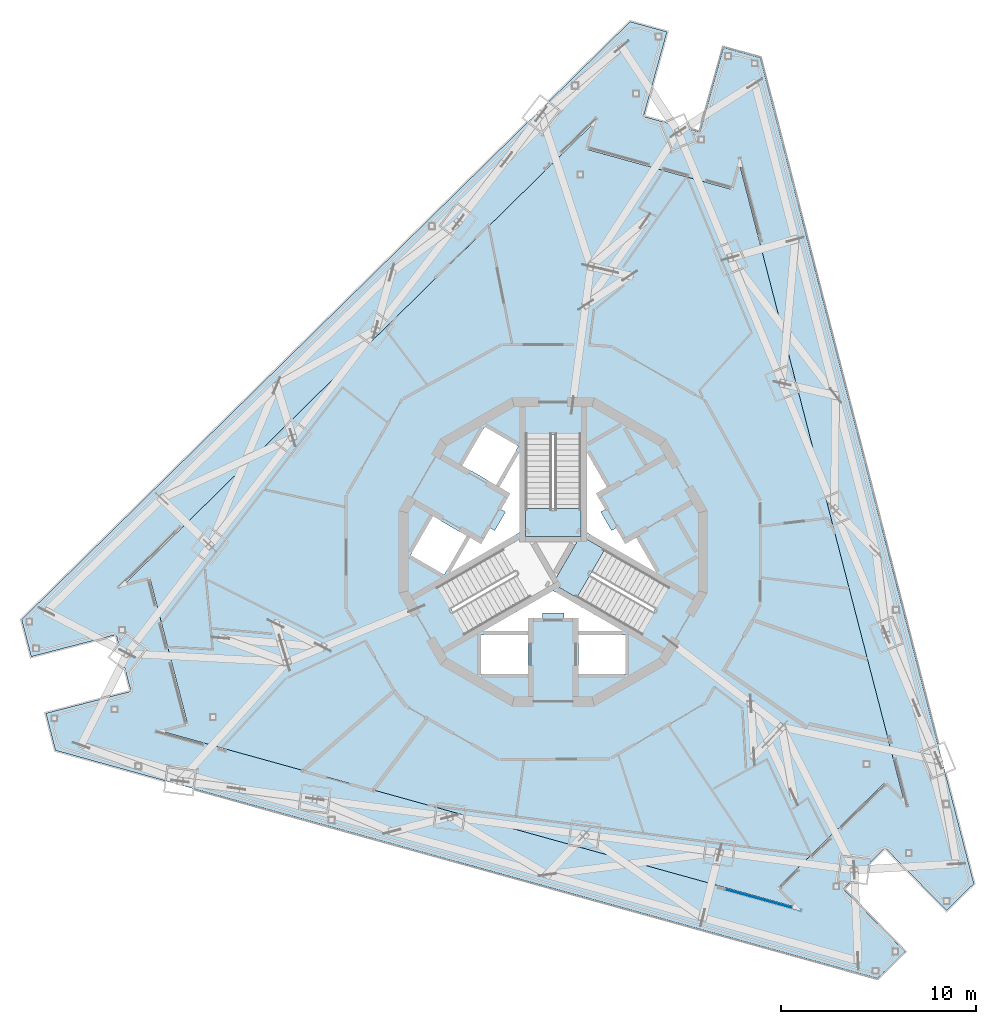
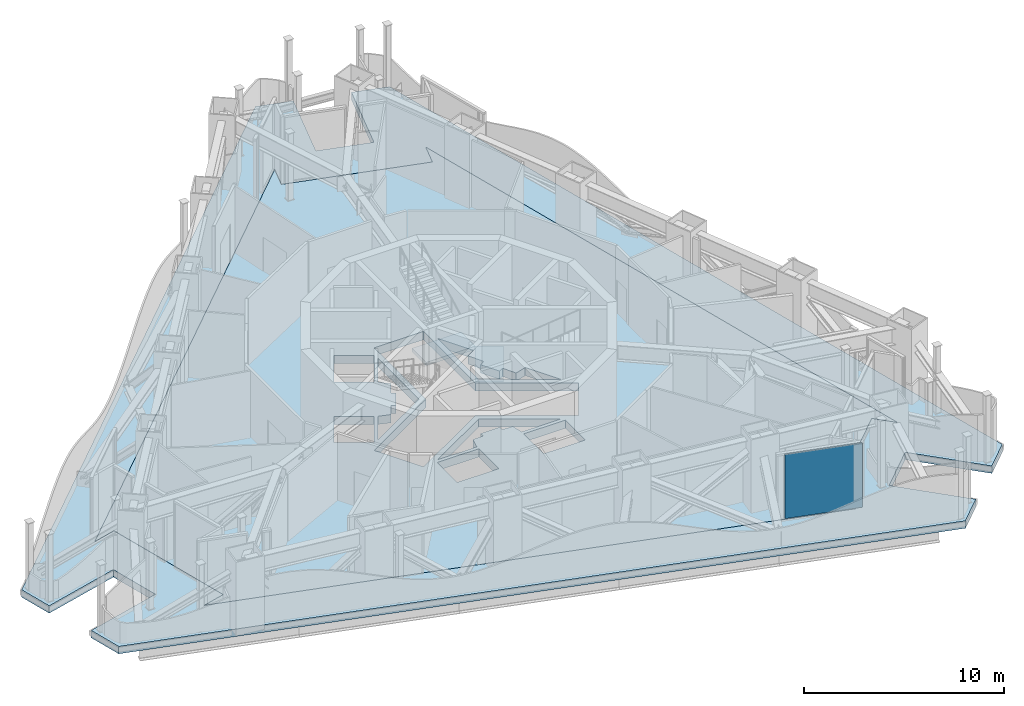
# One storey, part 7 of 22: 4 slabs, 1 plate, 3 elements without a shape of their own.
"""IFC4 building model written with IfcOpenShell, lengths in metres."""

from ifc_helpers import new_model, si_unit, direction, frame, origin, origin_2d, place, context, subcontext, project, spatial, polyline, rectangle, outline, extrude, material, layer, layer_set, type_object, element, aggregate, save


model = new_model("IFC4")

# Units and contexts
model_context = context("Model", 3, precision=1e-05, world=origin(), true_north=direction((0.0, 1.0)))
body_context = subcontext(model_context, "Body", "Model", "MODEL_VIEW")
ifc_project = project(units=[si_unit("LENGTHUNIT", "METRE"), si_unit("AREAUNIT", "SQUARE_METRE"), si_unit("VOLUMEUNIT", "CUBIC_METRE"), si_unit("PLANEANGLEUNIT", "RADIAN"), si_unit("MASSUNIT", "GRAM", prefix="KILO")], contexts=[model_context])

# Site, building, storey
site_placement = place(None, origin())
site = spatial("IfcSite", under=ifc_project, at=site_placement, CompositionType="ELEMENT")
building_placement = place(site_placement, origin())
building = spatial("IfcBuilding", under=site, at=building_placement, Name="Trine Commons Tower", CompositionType="ELEMENT")
storey_placement = place(building_placement, frame((0.0, 0.0, 267.300048828125)))
storey = spatial("IfcBuildingStorey", under=building, at=storey_placement, Name="L70", CompositionType="ELEMENT", Elevation=267.300048828125)

# Curtain wall, plate
ifc_material_1 = material(Name="Sky lounge glazing: anodised aluminium frame with low-emissivity double glazed unit, solar control", Category="aluminium")
ifc_layer_1 = layer(ifc_material_1, 0.179931640625)
ifc_layer_set_1 = layer_set([ifc_layer_1], Name="Sky lounge glazing: anodised aluminium frame with low-emissivity double glazed unit, solar control")
curtain_wall_type = type_object("IfcCurtainWallType", Name="Sky lounge glazing curtain wall CW5", PredefinedType="NOTDEFINED", material=ifc_layer_set_1)
curtain_wall_placement = place(storey_placement, origin())
curtain_wall = element("IfcCurtainWall", 1, at=curtain_wall_placement, inside=storey, type_object=curtain_wall_type, Name="Sky lounge glazing L70 F3.1", PredefinedType="NOTDEFINED")
ifc_material_2 = material(Name="Low-emissivity double glazed unit, solar control")
ifc_layer_2 = layer(ifc_material_2, 0.031982421875)
ifc_layer_set_2 = layer_set([ifc_layer_2], Name="Low-emissivity double glazed unit, solar control")
plate_type = type_object("IfcPlateType", Name="Double glazed unit 32 mm (sky floors)", PredefinedType="CURTAIN_PANEL", material=ifc_layer_set_2)
plate_placement = place(storey_placement, frame((90.7626953125, 44.6572265625, 0.10986328125), z_axis=(0.0, 0.0, 1.0), x_axis=(-0.963630453209, 0.267238376078, 0.0)))
plate = element("IfcPlate", 2, at=plate_placement, type_object=plate_type, Name="CW5 panel 1.1", PredefinedType="CURTAIN_PANEL", context=body_context, shape_type="SweptSolid", body=[
    extrude(rectangle(XDim=4.003662109375, YDim=0.031982421875, at=origin_2d()), origin(), (0.0, 0.0, 1.0), 3.929931640625),
])
aggregate(curtain_wall, [plate])

# Slab
ifc_material_3 = material(Name="Concrete C40/50", Category="concrete")
ifc_layer_3 = layer(ifc_material_3, 0.449951171875)
ifc_layer_set_3 = layer_set([ifc_layer_3], Name="Concrete C40/50")
slab_type_1 = type_object("IfcSlabType", Name="Loggia slab 450 mm, C40/50", PredefinedType="FLOOR", material=ifc_layer_set_3)
slab_1_placement = place(storey_placement, frame((0.0, 0.0, -0.449951171875)))
element("IfcSlab", 3, at=slab_1_placement, inside=storey, type_object=slab_type_1, Name="Loggia slab L70", PredefinedType="FLOOR", context=body_context, shape_type="SweptSolid", body=[
    extrude(outline(polyline([(101.57421875, 45.488037109375), (90.621826171875, 87.83837890625), (88.72900390625, 88.36328125), (87.526611328125, 84.02685546875), (84.6357421875, 84.82861328125), (85.838134765625, 89.1650390625), (83.945556640625, 89.68994140625), (52.745361328125, 59.029541015625), (53.2373046875, 57.1279296875), (57.593994140625, 58.254638671875), (58.344970703125, 55.350341796875), (53.98828125, 54.2236328125), (54.47998046875, 52.322021484375), (96.6328125, 40.632080078125), (98.03369140625, 42.0087890625), (94.879638671875, 45.218505859375), (97.019287109375, 47.321044921875), (100.17333984375, 44.111572265625), (101.57421875, 45.488037109375)]), holes=[polyline([(59.31640625, 61.17919921875), (61.26953125, 53.627685546875), (59.96728515625, 53.291015625), (92.42822265625, 44.28857421875), (91.485595703125, 45.248046875), (97.048828125, 50.715087890625), (97.99169921875, 49.755615234375), (89.557373046875, 82.368896484375), (89.197998046875, 81.07275390625), (81.681640625, 83.1572265625), (82.041015625, 84.453369140625), (58.014404296875, 60.84228515625), (59.31640625, 61.17919921875)])]), origin(), (0.0, 0.0, 1.0), 0.449951171875),
])

# Stair, slab
ifc_material_4 = material(Name="Concrete C50/60", Category="concrete")
stair_type = type_object("IfcStairType", Name="Exit stair, dog-leg, 30 risers of 150 mm", PredefinedType="HALF_TURN_STAIR", material=ifc_material_4)
stair_1_placement = place(storey_placement, origin())
stair_1 = element("IfcStair", 4, at=stair_1_placement, inside=storey, type_object=stair_type, Name="L70 Exit stair ST1D", PredefinedType="HALF_TURN_STAIR")
ifc_layer_4 = layer(ifc_material_4, 0.199951171875)
ifc_layer_set_4 = layer_set([ifc_layer_4], Name="Concrete C50/60")
slab_type_2 = type_object("IfcSlabType", Name="Stair landing slab 200 mm, C50/60", PredefinedType="LANDING", material=ifc_layer_set_4)
slab_2_placement = place(storey_placement, frame((0.0, 0.0, 2.050048828125)))
slab_2 = element("IfcSlab", 5, at=slab_2_placement, type_object=slab_type_2, Name="ST1D landing 1", PredefinedType="LANDING", context=body_context, shape_type="SweptSolid", body=[
    extrude(outline(polyline([(78.574951171875, 64.730712890625), (78.574951171875, 63.300537109375), (81.425048828125, 63.300537109375), (81.425048828125, 64.730712890625), (78.574951171875, 64.730712890625)])), origin(), (0.0, 0.0, 1.0), 0.199951171875),
])
aggregate(stair_1, [slab_2])

stair_2_placement = place(storey_placement, origin())
stair_2 = element("IfcStair", 6, at=stair_2_placement, inside=storey, type_object=stair_type, Name="L70 Exit stair ST3D", PredefinedType="HALF_TURN_STAIR")
slab_3_placement = place(storey_placement, frame((0.0, 0.0, 2.050048828125)))
slab_3 = element("IfcSlab", 7, at=slab_3_placement, type_object=slab_type_2, Name="ST3D landing 1", PredefinedType="LANDING", context=body_context, shape_type="SweptSolid", body=[
    extrude(outline(polyline([(82.644287109375, 62.618896484375), (81.40576171875, 63.333740234375), (79.980712890625, 60.86572265625), (81.21923828125, 60.150634765625), (82.644287109375, 62.618896484375)])), origin(), (0.0, 0.0, 1.0), 0.199951171875),
])
aggregate(stair_2, [slab_3])

# Slab
ifc_layer_5 = layer(ifc_material_3, 0.5)
ifc_layer_set_5 = layer_set([ifc_layer_5], Name="Concrete C40/50")
slab_type_3 = type_object("IfcSlabType", Name="Transfer floor slab 500 mm, C40/50", PredefinedType="FLOOR", material=ifc_layer_set_5)
slab_4_placement = place(storey_placement, frame((0.0, 0.0, -0.5)))
element("IfcSlab", 8, at=slab_4_placement, inside=storey, type_object=slab_type_3, Name="Floor slab L70", PredefinedType="FLOOR", context=body_context, shape_type="SweptSolid", body=[
    extrude(outline(polyline([(58.014404296875, 60.84228515625), (59.31640625, 61.17919921875), (61.26953125, 53.627685546875), (59.96728515625, 53.291015625), (92.42822265625, 44.28857421875), (91.485595703125, 45.248046875), (97.048828125, 50.715087890625), (97.99169921875, 49.755615234375), (89.557373046875, 82.368896484375), (89.197998046875, 81.07275390625), (81.681640625, 83.1572265625), (82.041015625, 84.453369140625), (58.014404296875, 60.84228515625)]), holes=[polyline([(78.699951171875, 56.25), (78.699951171875, 58.25), (76.300048828125, 58.25), (76.300048828125, 56.25), (78.699951171875, 56.25)]), polyline([(83.699951171875, 56.25), (83.699951171875, 58.25), (81.300048828125, 58.25), (81.300048828125, 56.25), (83.699951171875, 56.25)]), polyline([(81.300048828125, 58.449951171875), (83.56494140625, 58.449951171875), (80.0, 60.508056640625), (76.43505859375, 58.449951171875), (78.699951171875, 58.449951171875), (78.85009765625, 59.10009765625), (79.449951171875, 59.10009765625), (79.449951171875, 59.360107421875), (80.550048828125, 59.360107421875), (80.550048828125, 59.10009765625), (81.14990234375, 59.10009765625), (81.300048828125, 58.449951171875)]), polyline([(81.425048828125, 63.32275390625), (81.425048828125, 68.490478515625), (78.574951171875, 68.490478515625), (78.574951171875, 63.32275390625), (74.099609375, 60.73876953125), (75.5244140625, 58.2705078125), (80.0, 60.8544921875), (84.4755859375, 58.2705078125), (85.900390625, 60.73876953125), (81.425048828125, 63.32275390625)]), polyline([(72.687255859375, 62.333984375), (74.41943359375, 61.333984375), (75.5693359375, 63.325927734375), (73.83740234375, 64.325927734375), (72.687255859375, 62.333984375)]), polyline([(76.381103515625, 63.031005859375), (75.742919921875, 63.22607421875), (74.7099609375, 61.43798828125), (78.27490234375, 63.49609375), (78.27490234375, 67.612060546875), (77.242919921875, 65.823974609375), (77.73095703125, 65.368896484375), (77.3310546875, 64.676025390625), (77.555908203125, 64.5458984375), (77.006103515625, 63.593994140625), (76.781005859375, 63.722900390625), (76.381103515625, 63.031005859375)]), polyline([(82.993896484375, 63.593994140625), (82.444091796875, 64.5458984375), (82.72705078125, 64.7099609375), (82.281005859375, 65.549072265625), (82.757080078125, 65.823974609375), (81.72509765625, 67.612060546875), (81.72509765625, 63.49609375), (85.2900390625, 61.43798828125), (84.257080078125, 63.22607421875), (83.618896484375, 63.031005859375), (83.243896484375, 63.738037109375), (82.993896484375, 63.593994140625)]), polyline([(76.4873046875, 68.916015625), (75.33740234375, 66.924072265625), (77.0693359375, 65.924072265625), (78.219482421875, 67.916015625), (76.4873046875, 68.916015625)])]), origin(), (0.0, 0.0, 1.0), 0.5),
])

save(model, "model.ifc")
